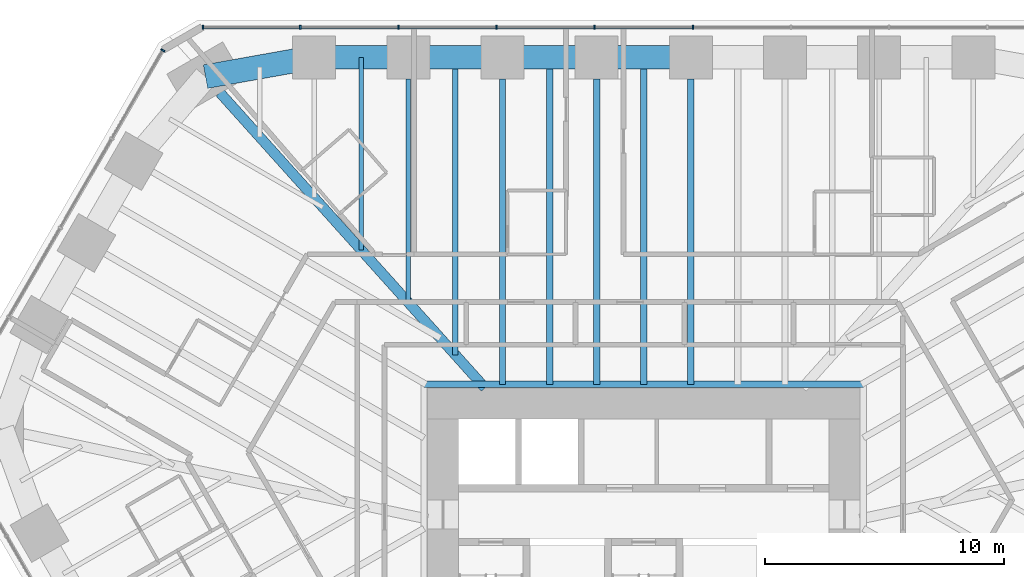
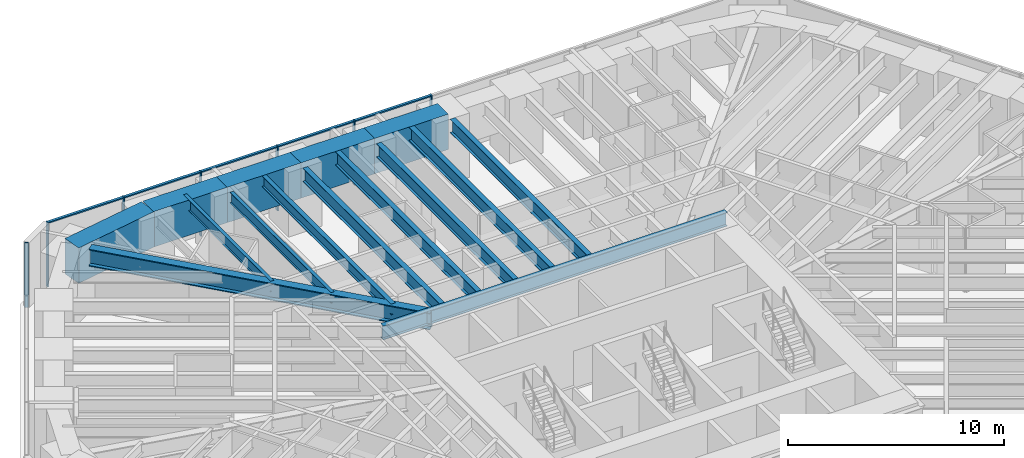
# One storey, part 8 of 17: 15 beams, 12 members, 2 elements without a shape of their own.
"""IFC4 building model written with IfcOpenShell, lengths in metres."""

from ifc_helpers import new_model, si_unit, direction, frame, origin, origin_2d, place, context, subcontext, project, spatial, rectangle, i_section, extrude, material, material_profile, profile_set, type_object, element, aggregate, save


model = new_model("IFC4")

# Units and contexts
model_context = context("Model", 3, precision=1e-05, world=origin(), true_north=direction((0.0, 1.0)))
body_context = subcontext(model_context, "Body", "Model", "MODEL_VIEW")
ifc_project = project(units=[si_unit("LENGTHUNIT", "METRE"), si_unit("AREAUNIT", "SQUARE_METRE"), si_unit("VOLUMEUNIT", "CUBIC_METRE"), si_unit("PLANEANGLEUNIT", "RADIAN"), si_unit("MASSUNIT", "GRAM", prefix="KILO")], contexts=[model_context])

# Site, building, storey
site_placement = place(None, origin())
site = spatial("IfcSite", under=ifc_project, at=site_placement, CompositionType="ELEMENT")
building_placement = place(site_placement, origin())
building = spatial("IfcBuilding", under=site, at=building_placement, Name="Sandreach Pilgrim Tower", CompositionType="ELEMENT")
storey_placement = place(building_placement, frame((0.0, 0.0, 146.199951171875)))
storey = spatial("IfcBuildingStorey", under=building, at=storey_placement, Name="L36", CompositionType="ELEMENT", Elevation=146.199951171875)

# Curtain wall, members
ifc_material_1 = material(Name="Aluminium framed curtain wall", Category="aluminium")
curtain_wall_type = type_object("IfcCurtainWallType", Name="Hotel tower curtain wall", PredefinedType="NOTDEFINED", material=ifc_material_1)
curtain_wall_1_placement = place(storey_placement, origin())
curtain_wall_1 = element("IfcCurtainWall", 1, at=curtain_wall_1_placement, inside=storey, type_object=curtain_wall_type, Name="CW-2 L36 N", PredefinedType="NOTDEFINED")
ifc_material_2 = material(Name="Aluminium extrusion", Category="aluminium")
ifc_material_profile_1 = material_profile(ifc_material_2, rectangle(XDim=0.06494140625, YDim=0.179931640625, at=origin_2d()), Name="CW-2M 65X180")
ifc_profile_set_1 = profile_set([ifc_material_profile_1], Name="Aluminium extrusion")
member_type_1 = type_object("IfcMemberType", Name="CW-2 mullion", PredefinedType="MULLION", material=ifc_profile_set_1)
member_1_placement = place(storey_placement, frame((-18.448974609375, 22.493896484375, 0.0), z_axis=(0.0, 0.0, 1.0), x_axis=(1.0, 0.0, 0.0)))
member_1 = element("IfcMember", 2, at=member_1_placement, type_object=member_type_1, Name="CW-2 mullion 1", PredefinedType="MULLION", context=body_context, shape_type="SweptSolid", body=[
    extrude(rectangle(XDim=0.06494140625, YDim=0.179931640625, at=origin_2d()), origin(), (0.0, 0.0, 1.0), 3.64013671875),
])
member_2_placement = place(storey_placement, frame((-14.37451171875, 22.493896484375, 0.0), z_axis=(0.0, 0.0, 1.0), x_axis=(1.0, 0.0, 0.0)))
member_2 = element("IfcMember", 3, at=member_2_placement, type_object=member_type_1, Name="CW-2 mullion 2", PredefinedType="MULLION", context=body_context, shape_type="SweptSolid", body=[
    extrude(rectangle(XDim=0.06494140625, YDim=0.179931640625, at=origin_2d()), origin(), (0.0, 0.0, 1.0), 3.64013671875),
])
member_3_placement = place(storey_placement, frame((-10.267333984375, 22.493896484375, 0.0), z_axis=(0.0, 0.0, 1.0), x_axis=(1.0, 0.0, 0.0)))
member_3 = element("IfcMember", 4, at=member_3_placement, type_object=member_type_1, Name="CW-2 mullion 3", PredefinedType="MULLION", context=body_context, shape_type="SweptSolid", body=[
    extrude(rectangle(XDim=0.06494140625, YDim=0.179931640625, at=origin_2d()), origin(), (0.0, 0.0, 1.0), 3.64013671875),
])
member_4_placement = place(storey_placement, frame((-6.160400390625, 22.493896484375, 0.0), z_axis=(0.0, 0.0, 1.0), x_axis=(1.0, 0.0, 0.0)))
member_4 = element("IfcMember", 5, at=member_4_placement, type_object=member_type_1, Name="CW-2 mullion 4", PredefinedType="MULLION", context=body_context, shape_type="SweptSolid", body=[
    extrude(rectangle(XDim=0.06494140625, YDim=0.179931640625, at=origin_2d()), origin(), (0.0, 0.0, 1.0), 3.64013671875),
])
member_5_placement = place(storey_placement, frame((-2.053466796875, 22.493896484375, 0.0), z_axis=(0.0, 0.0, 1.0), x_axis=(1.0, 0.0, 0.0)))
member_5 = element("IfcMember", 6, at=member_5_placement, type_object=member_type_1, Name="CW-2 mullion 5", PredefinedType="MULLION", context=body_context, shape_type="SweptSolid", body=[
    extrude(rectangle(XDim=0.06494140625, YDim=0.179931640625, at=origin_2d()), origin(), (0.0, 0.0, 1.0), 3.64013671875),
])
member_6_placement = place(storey_placement, frame((2.053466796875, 22.493896484375, 0.0), z_axis=(0.0, 0.0, 1.0), x_axis=(1.0, 0.0, 0.0)))
member_6 = element("IfcMember", 7, at=member_6_placement, type_object=member_type_1, Name="CW-2 mullion 6", PredefinedType="MULLION", context=body_context, shape_type="SweptSolid", body=[
    extrude(rectangle(XDim=0.06494140625, YDim=0.179931640625, at=origin_2d()), origin(), (0.0, 0.0, 1.0), 3.64013671875),
])

# Curtain wall, member
curtain_wall_2_placement = place(storey_placement, origin())
curtain_wall_2 = element("IfcCurtainWall", 8, at=curtain_wall_2_placement, inside=storey, type_object=curtain_wall_type, Name="CW-2 L36 NW", PredefinedType="NOTDEFINED")
member_7_placement = place(storey_placement, frame((-20.125732421875, 21.525634765625, 0.0), z_axis=(0.0, 0.0, 1.0), x_axis=(0.5, 0.866025403784, 0.0)))
member_7 = element("IfcMember", 9, at=member_7_placement, type_object=member_type_1, Name="CW-2 mullion 5", PredefinedType="MULLION", context=body_context, shape_type="SweptSolid", body=[
    extrude(rectangle(XDim=0.06494140625, YDim=0.179931640625, at=origin_2d()), origin(), (0.0, 0.0, 1.0), 3.64013671875),
])
aggregate(curtain_wall_2, [member_7])

# Member
ifc_material_3 = material(Name="Aluminium extrusion", Category="aluminium")
ifc_material_profile_2 = material_profile(ifc_material_3, rectangle(XDim=0.139892578125, YDim=0.070068359375, at=origin_2d()), Name="CW-2T 140X70")
ifc_profile_set_2 = profile_set([ifc_material_profile_2], Name="Aluminium extrusion")
member_type_2 = type_object("IfcMemberType", Name="CW-2 transom", PredefinedType="USERDEFINED", material=ifc_profile_set_2)
member_8_placement = place(storey_placement, frame((-18.416259765625, 22.493896484375, 3.60498046875), z_axis=(1.0, 0.0, 0.0), x_axis=(0.0, 1.0, 0.0)))
member_8 = element("IfcMember", 10, at=member_8_placement, type_object=member_type_2, Name="CW-2 head transom 1", ObjectType="TRANSOM", PredefinedType="USERDEFINED", context=body_context, shape_type="SweptSolid", body=[
    extrude(rectangle(XDim=0.139892578125, YDim=0.070068359375, at=origin_2d()), origin(), (0.0, 0.0, 1.0), 4.00927734375),
])

member_9_placement = place(storey_placement, frame((-14.341796875, 22.493896484375, 3.60498046875), z_axis=(1.0, 0.0, 0.0), x_axis=(0.0, 1.0, 0.0)))
member_9 = element("IfcMember", 11, at=member_9_placement, type_object=member_type_2, Name="CW-2 head transom 2", ObjectType="TRANSOM", PredefinedType="USERDEFINED", context=body_context, shape_type="SweptSolid", body=[
    extrude(rectangle(XDim=0.139892578125, YDim=0.070068359375, at=origin_2d()), origin(), (0.0, 0.0, 1.0), 4.041748046875),
])

member_10_placement = place(storey_placement, frame((-10.23486328125, 22.493896484375, 3.60498046875), z_axis=(1.0, 0.0, 0.0), x_axis=(0.0, 1.0, 0.0)))
member_10 = element("IfcMember", 12, at=member_10_placement, type_object=member_type_2, Name="CW-2 head transom 3", ObjectType="TRANSOM", PredefinedType="USERDEFINED", context=body_context, shape_type="SweptSolid", body=[
    extrude(rectangle(XDim=0.139892578125, YDim=0.070068359375, at=origin_2d()), origin(), (0.0, 0.0, 1.0), 4.0419921875),
])

member_11_placement = place(storey_placement, frame((-6.1279296875, 22.493896484375, 3.60498046875), z_axis=(1.0, 0.0, 0.0), x_axis=(0.0, 1.0, 0.0)))
member_11 = element("IfcMember", 13, at=member_11_placement, type_object=member_type_2, Name="CW-2 head transom 4", ObjectType="TRANSOM", PredefinedType="USERDEFINED", context=body_context, shape_type="SweptSolid", body=[
    extrude(rectangle(XDim=0.139892578125, YDim=0.070068359375, at=origin_2d()), origin(), (0.0, 0.0, 1.0), 4.0419921875),
])

member_12_placement = place(storey_placement, frame((-2.02099609375, 22.493896484375, 3.60498046875), z_axis=(1.0, 0.0, 0.0), x_axis=(0.0, 1.0, 0.0)))
member_12 = element("IfcMember", 14, at=member_12_placement, type_object=member_type_2, Name="CW-2 head transom 5", ObjectType="TRANSOM", PredefinedType="USERDEFINED", context=body_context, shape_type="SweptSolid", body=[
    extrude(rectangle(XDim=0.139892578125, YDim=0.070068359375, at=origin_2d()), origin(), (0.0, 0.0, 1.0), 4.0419921875),
])

aggregate(curtain_wall_1, [member_1, member_2, member_3, member_4, member_5, member_6, member_8, member_9, member_10, member_11, member_12])

# Beams
ifc_material_4 = material(Name="Steel ASTM A992 Grade 50", Category="steel")
ifc_material_profile_3 = material_profile(ifc_material_4, i_section(OverallWidth=0.2666015625, OverallDepth=0.77978515625, WebThickness=0.0166015625, FlangeThickness=0.030029296875, at=origin_2d()), Name="W30X148")
ifc_profile_set_3 = profile_set([ifc_material_profile_3], Name="Steel ASTM A992 Grade 50")
beam_type_1 = type_object("IfcBeamType", Name="Core edge beam W30X148", PredefinedType="BEAM", material=ifc_profile_set_3)
beam_1_placement = place(storey_placement, frame((-9.193359375, 7.54345703125, 3.250244140625), z_axis=(1.0, 0.0, 0.0), x_axis=(0.0, 1.0, 0.0)))
element("IfcBeam", 15, at=beam_1_placement, inside=storey, type_object=beam_type_1, Name="BM L36 CEN", PredefinedType="BEAM", context=body_context, shape_type="SweptSolid", body=[
    extrude(i_section(OverallWidth=0.2666015625, OverallDepth=0.77978515625, WebThickness=0.0166015625, FlangeThickness=0.030029296875, at=origin_2d()), origin(), (0.0, 0.0, 1.0), 18.38671875),
])
ifc_material_5 = material(Name="Steel ASTM A992 Grade 50", Category="steel")
ifc_material_profile_4 = material_profile(ifc_material_5, i_section(OverallWidth=0.424072265625, OverallDepth=0.965087890625, WebThickness=0.028564453125, FlangeThickness=0.051025390625, at=origin_2d()), Name="W36X361")
ifc_profile_set_4 = profile_set([ifc_material_profile_4], Name="Steel ASTM A992 Grade 50")
beam_type_2 = type_object("IfcBeamType", Name="Corner girder W36X361", PredefinedType="BEAM", material=ifc_profile_set_4)
beam_2_placement = place(storey_placement, frame((-17.738037109375, 19.754150390625, 3.157470703125), z_axis=(0.66811374471, -0.74405915365, 0.0), x_axis=(0.74405915365, 0.66811374471, 0.0)))
element("IfcBeam", 16, at=beam_2_placement, inside=storey, type_object=beam_type_2, Name="BM L36 CG39", PredefinedType="BEAM", context=body_context, shape_type="SweptSolid", body=[
    extrude(i_section(OverallWidth=0.424072265625, OverallDepth=0.965087890625, WebThickness=0.028564453125, FlangeThickness=0.051025390625, at=origin_2d()), origin(), (0.0, 0.0, 1.0), 16.603759765625),
])
ifc_material_6 = material(Name="Steel ASTM A992 Grade 50", Category="steel")
ifc_material_profile_5 = material_profile(ifc_material_6, i_section(OverallWidth=0.1787109375, OverallDepth=0.60205078125, WebThickness=0.010986328125, FlangeThickness=0.014892578125, at=origin_2d()), Name="W24X62")
ifc_profile_set_5 = profile_set([ifc_material_profile_5], Name="Steel ASTM A992 Grade 50")
beam_type_3 = type_object("IfcBeamType", Name="Floor beam W24X62", PredefinedType="BEAM", material=ifc_profile_set_5)
beam_3_placement = place(storey_placement, frame((-9.849853515625, 20.333740234375, 3.339111328125), z_axis=(0.0, -1.0, 0.0), x_axis=(1.0, 0.0, 0.0)))
element("IfcBeam", 17, at=beam_3_placement, inside=storey, type_object=beam_type_3, Name="BM L36 F02", PredefinedType="BEAM", context=body_context, shape_type="SweptSolid", body=[
    extrude(i_section(OverallWidth=0.1787109375, OverallDepth=0.60205078125, WebThickness=0.010986328125, FlangeThickness=0.014892578125, at=origin_2d()), origin(), (0.0, 0.0, 1.0), 9.3642578125),
])
beam_4_placement = place(storey_placement, frame((-11.81982421875, 21.23388671875, 3.339111328125), z_axis=(0.0, -1.0, 0.0), x_axis=(1.0, 0.0, 0.0)))
element("IfcBeam", 18, at=beam_4_placement, inside=storey, type_object=beam_type_3, Name="BM L36 FM01", PredefinedType="BEAM", context=body_context, shape_type="SweptSolid", body=[
    extrude(i_section(OverallWidth=0.1787109375, OverallDepth=0.60205078125, WebThickness=0.010986328125, FlangeThickness=0.014892578125, at=origin_2d()), origin(), (0.0, 0.0, 1.0), 8.070556640625),
])
ifc_material_7 = material(Name="Steel ASTM A992 Grade 50", Category="steel")
ifc_material_profile_6 = material_profile(ifc_material_7, i_section(OverallWidth=0.23046875, OverallDepth=0.6171875, WebThickness=0.01318359375, FlangeThickness=0.022216796875, at=origin_2d()), Name="W24X94")
ifc_profile_set_6 = profile_set([ifc_material_profile_6], Name="Steel ASTM A992 Grade 50")
beam_type_4 = type_object("IfcBeamType", Name="Floor beam W24X94", PredefinedType="BEAM", material=ifc_profile_set_6)
beam_5_placement = place(storey_placement, frame((-7.8798828125, 21.23388671875, 3.33154296875), z_axis=(0.0, -1.0, 0.0), x_axis=(1.0, 0.0, 0.0)))
element("IfcBeam", 19, at=beam_5_placement, inside=storey, type_object=beam_type_4, Name="BM L36 FM02", PredefinedType="BEAM", context=body_context, shape_type="SweptSolid", body=[
    extrude(i_section(OverallWidth=0.23046875, OverallDepth=0.6171875, WebThickness=0.01318359375, FlangeThickness=0.022216796875, at=origin_2d()), origin(), (0.0, 0.0, 1.0), 12.458251953125),
])
ifc_material_8 = material(Name="Steel ASTM A992 Grade 50", Category="steel")
ifc_material_profile_7 = material_profile(ifc_material_8, i_section(OverallWidth=0.2666015625, OverallDepth=0.761962890625, WebThickness=0.014404296875, FlangeThickness=0.021484375, at=origin_2d()), Name="W30X116")
ifc_profile_set_7 = profile_set([ifc_material_profile_7], Name="Steel ASTM A992 Grade 50")
beam_type_5 = type_object("IfcBeamType", Name="Floor beam W30X116", PredefinedType="BEAM", material=ifc_profile_set_7)
for number, where, z_axis, x_axis, name in (
    (20, (-5.909912109375, 20.333740234375, 3.259033203125), (0.0, -1.0, 0.0), (1.0, 0.0, 0.0), "BM L36 F03"),
    (21, (-1.969970703125, 20.333740234375, 3.259033203125), (0.0, -1.0, 0.0), (1.0, 0.0, 0.0), "BM L36 F04"),
    (22, (1.969970703125, 20.333740234375, 3.259033203125), (0.0, -1.0, 0.0), (1.0, 0.0, 0.0), "BM L36 F05"),
):
    element("IfcBeam", number, at=place(storey_placement, frame(where, z_axis=z_axis, x_axis=x_axis)), inside=storey, type_object=beam_type_5, Name=name, PredefinedType="BEAM", context=body_context, shape_type="SweptSolid", body=[
        extrude(i_section(OverallWidth=0.2666015625, OverallDepth=0.761962890625, WebThickness=0.014404296875, FlangeThickness=0.021484375, at=origin_2d()), origin(), (0.0, 0.0, 1.0), 12.790283203125),
    ])
for number, where, z_axis, x_axis, name in (
    (23, (-3.93994140625, 21.23388671875, 3.259033203125), (0.0, -1.0, 0.0), (1.0, 0.0, 0.0), "BM L36 FM03"),
    (24, (0.0, 21.23388671875, 3.259033203125), (0.0, -1.0, 0.0), (1.0, 0.0, 0.0), "BM L36 FM04"),
):
    element("IfcBeam", number, at=place(storey_placement, frame(where, z_axis=z_axis, x_axis=x_axis)), inside=storey, type_object=beam_type_5, Name=name, PredefinedType="BEAM", context=body_context, shape_type="SweptSolid", body=[
        extrude(i_section(OverallWidth=0.2666015625, OverallDepth=0.761962890625, WebThickness=0.014404296875, FlangeThickness=0.021484375, at=origin_2d()), origin(), (0.0, 0.0, 1.0), 13.6904296875),
    ])
ifc_material_9 = material(Name="Concrete 10000 psi", Category="concrete")
ifc_material_profile_8 = material_profile(ifc_material_9, rectangle(XDim=1.0, YDim=2.0, at=origin_2d()), Name="RC1000X2000")
ifc_profile_set_8 = profile_set([ifc_material_profile_8], Name="Concrete 10000 psi")
beam_type_6 = type_object("IfcBeamType", Name="Spandrel beam RC1000X2000", PredefinedType="SPANDREL", material=ifc_profile_set_8)
for number, where, z_axis, x_axis, name in (
    (25, (-13.789794921875, 21.23388671875, 2.64013671875), (1.0, 0.0, 0.0), (0.0, 1.0, 0.0), "BM L36 SP01"),
    (26, (-9.849853515625, 21.23388671875, 2.64013671875), (1.0, 0.0, 0.0), (0.0, 1.0, 0.0), "BM L36 SP02"),
    (27, (-5.909912109375, 21.23388671875, 2.64013671875), (1.0, 0.0, 0.0), (0.0, 1.0, 0.0), "BM L36 SP03"),
    (28, (-1.969970703125, 21.23388671875, 2.64013671875), (1.0, 0.0, 0.0), (0.0, 1.0, 0.0), "BM L36 SP04"),
):
    element("IfcBeam", number, at=place(storey_placement, frame(where, z_axis=z_axis, x_axis=x_axis)), inside=storey, type_object=beam_type_6, Name=name, PredefinedType="SPANDREL", context=body_context, shape_type="SweptSolid", body=[
        extrude(rectangle(XDim=1.0, YDim=2.0, at=origin_2d()), origin(), (0.0, 0.0, 1.0), 3.93994140625),
    ])
beam_6_placement = place(storey_placement, frame((-18.33935546875, 20.423828125, 2.64013671875), z_axis=(0.984515938739, 0.175295083699, 0.0), x_axis=(-0.175295083699, 0.984515938739, 0.0)))
element("IfcBeam", 29, at=beam_6_placement, inside=storey, type_object=beam_type_6, Name="BM L36 SP39", PredefinedType="SPANDREL", context=body_context, shape_type="SweptSolid", body=[
    extrude(rectangle(XDim=1.0, YDim=2.0, at=origin_2d()), origin(), (0.0, 0.0, 1.0), 4.62109375),
])

save(model, "model.ifc")
